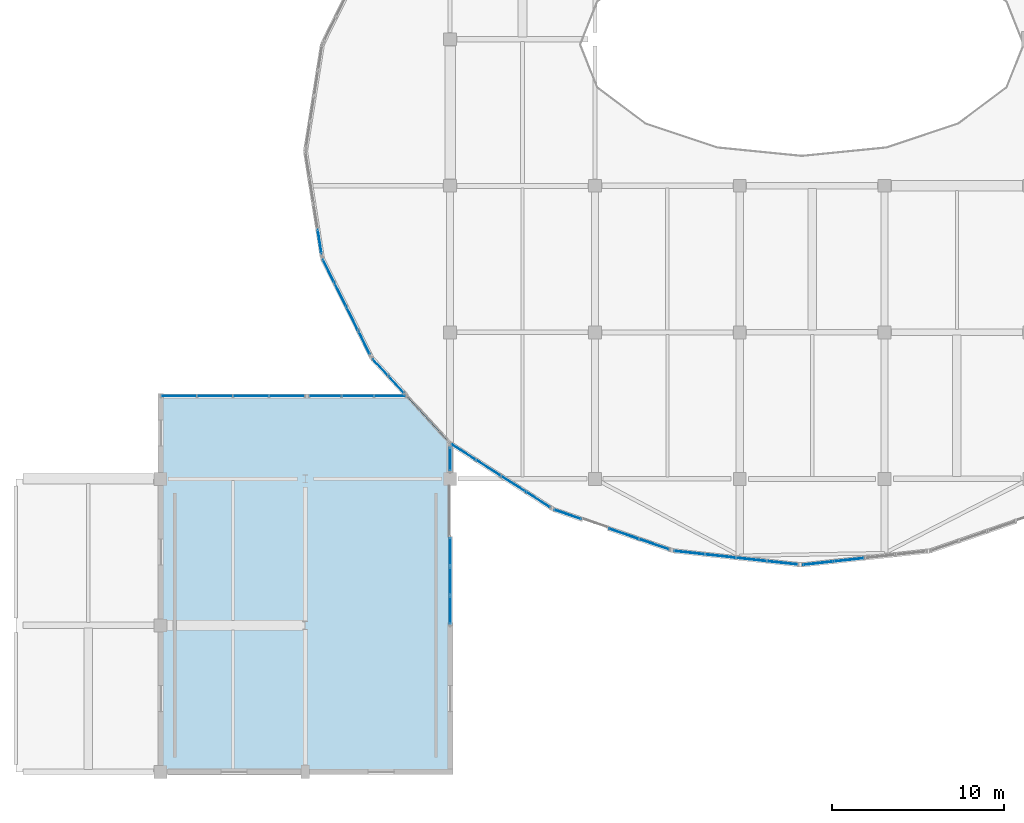
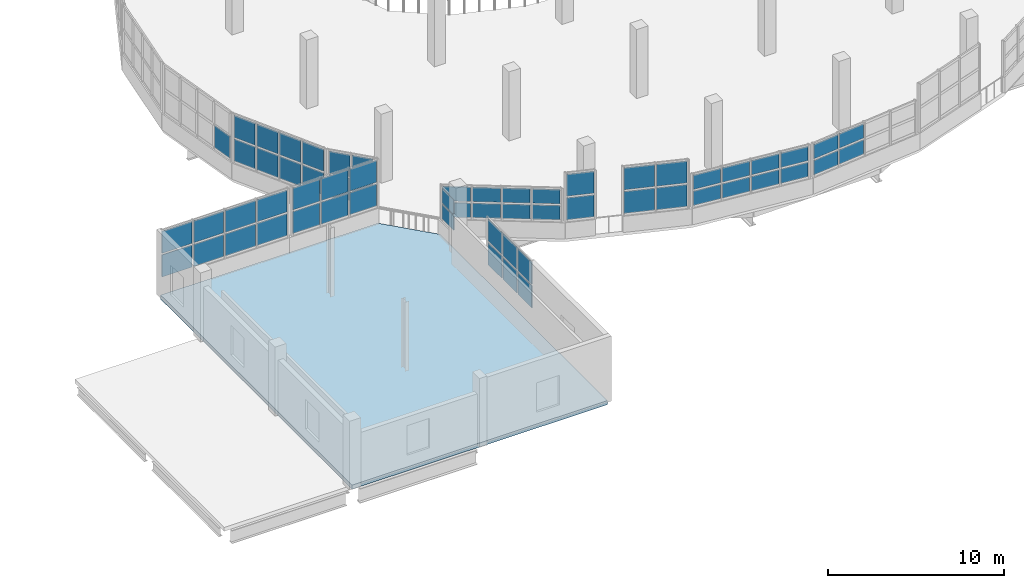
# One storey, part 84 of 117: 61 plates, 1 slab, 12 elements without a shape of their own.
"""IFC4 building model written with IfcOpenShell, lengths in metres."""

from ifc_helpers import new_model, si_unit, direction, frame, origin, origin_2d, place, context, subcontext, project, spatial, polyline, rectangle, outline, extrude, material, layer, layer_set, type_object, element, aggregate, save


model = new_model("IFC4")

# Units and contexts
model_context = context("Model", 3, precision=1e-05, world=origin(), true_north=direction((0.0, 1.0)))
body_context = subcontext(model_context, "Body", "Model", "MODEL_VIEW")
ifc_project = project(units=[si_unit("LENGTHUNIT", "METRE"), si_unit("AREAUNIT", "SQUARE_METRE"), si_unit("VOLUMEUNIT", "CUBIC_METRE"), si_unit("PLANEANGLEUNIT", "RADIAN"), si_unit("MASSUNIT", "GRAM", prefix="KILO")], contexts=[model_context])

# Site, building, storey
site_placement = place(None, origin())
site = spatial("IfcSite", under=ifc_project, at=site_placement, CompositionType="ELEMENT")
building_placement = place(site_placement, origin())
building = spatial("IfcBuilding", under=site, at=building_placement, Name="Solvento Point Concert Hall", CompositionType="ELEMENT")
storey_placement = place(building_placement, frame((0.0, 0.0, 5.39990234375)))
storey = spatial("IfcBuildingStorey", under=building, at=storey_placement, Name="L01", CompositionType="ELEMENT", Elevation=5.39990234375)

# Curtain wall, plates
ifc_material_1 = material(Name="Anodized Bronze Aluminium", Category="aluminium")
curtain_wall_type = type_object("IfcCurtainWallType", Name="CurtainWall_RingRibbon_L01_02", PredefinedType="USERDEFINED", material=ifc_material_1)
curtain_wall_1_placement = place(storey_placement, origin())
curtain_wall_1 = element("IfcCurtainWall", 1, at=curtain_wall_1_placement, inside=storey, type_object=curtain_wall_type, Name="Unitised curtain wall CW-59 UCW-L01-093", ObjectType="UNITISED CURTAIN WALL", PredefinedType="USERDEFINED")
ifc_material_2 = material(Name="Hurricane Laminated Low-E Glass", Category="glass")
plate_type = type_object("IfcPlateType", Name="CurtainPanel_RingLower", PredefinedType="CURTAIN_PANEL", material=ifc_material_2)
plate_1_placement = place(storey_placement, frame((25.072509765625, 21.800048828125, 1.240234375), z_axis=(0.0, 0.0, 1.0), x_axis=(1.0, 0.0, 0.0)))
plate_1 = element("IfcPlate", 2, at=plate_1_placement, type_object=plate_type, Name="Glazed curtain panel GL-02", PredefinedType="CURTAIN_PANEL", context=body_context, shape_type="SweptSolid", body=[
    extrude(rectangle(XDim=1.965087890625, YDim=0.0439453125, at=origin_2d()), origin(), (0.0, 0.0, 1.0), 1.52490234375),
])
plate_2_placement = place(storey_placement, frame((25.072509765625, 21.800048828125, 2.88525390625), z_axis=(0.0, 0.0, 1.0), x_axis=(1.0, 0.0, 0.0)))
plate_2 = element("IfcPlate", 3, at=plate_2_placement, type_object=plate_type, Name="Glazed curtain panel GL-02", PredefinedType="CURTAIN_PANEL", context=body_context, shape_type="SweptSolid", body=[
    extrude(rectangle(XDim=1.965087890625, YDim=0.0439453125, at=origin_2d()), origin(), (0.0, 0.0, 1.0), 1.52490234375),
])
plate_3_placement = place(storey_placement, frame((27.157470703125, 21.800048828125, 1.240234375), z_axis=(0.0, 0.0, 1.0), x_axis=(1.0, 0.0, 0.0)))
plate_3 = element("IfcPlate", 4, at=plate_3_placement, type_object=plate_type, Name="Glazed curtain panel GL-02", PredefinedType="CURTAIN_PANEL", context=body_context, shape_type="SweptSolid", body=[
    extrude(rectangle(XDim=1.965087890625, YDim=0.0439453125, at=origin_2d()), origin(), (0.0, 0.0, 1.0), 1.52490234375),
])
plate_4_placement = place(storey_placement, frame((27.157470703125, 21.800048828125, 2.88525390625), z_axis=(0.0, 0.0, 1.0), x_axis=(1.0, 0.0, 0.0)))
plate_4 = element("IfcPlate", 5, at=plate_4_placement, type_object=plate_type, Name="Glazed curtain panel GL-02", PredefinedType="CURTAIN_PANEL", context=body_context, shape_type="SweptSolid", body=[
    extrude(rectangle(XDim=1.965087890625, YDim=0.0439453125, at=origin_2d()), origin(), (0.0, 0.0, 1.0), 1.52490234375),
])
plate_5_placement = place(storey_placement, frame((29.242431640625, 21.800048828125, 1.240234375), z_axis=(0.0, 0.0, 1.0), x_axis=(1.0, 0.0, 0.0)))
plate_5 = element("IfcPlate", 6, at=plate_5_placement, type_object=plate_type, Name="Glazed curtain panel GL-02", PredefinedType="CURTAIN_PANEL", context=body_context, shape_type="SweptSolid", body=[
    extrude(rectangle(XDim=1.965087890625, YDim=0.0439453125, at=origin_2d()), origin(), (0.0, 0.0, 1.0), 1.52490234375),
])
plate_6_placement = place(storey_placement, frame((29.242431640625, 21.800048828125, 2.88525390625), z_axis=(0.0, 0.0, 1.0), x_axis=(1.0, 0.0, 0.0)))
plate_6 = element("IfcPlate", 7, at=plate_6_placement, type_object=plate_type, Name="Glazed curtain panel GL-02", PredefinedType="CURTAIN_PANEL", context=body_context, shape_type="SweptSolid", body=[
    extrude(rectangle(XDim=1.965087890625, YDim=0.0439453125, at=origin_2d()), origin(), (0.0, 0.0, 1.0), 1.52490234375),
])
plate_7_placement = place(storey_placement, frame((31.327392578125, 21.800048828125, 1.240234375), z_axis=(0.0, 0.0, 1.0), x_axis=(1.0, 0.0, 0.0)))
plate_7 = element("IfcPlate", 8, at=plate_7_placement, type_object=plate_type, Name="Glazed curtain panel GL-02", PredefinedType="CURTAIN_PANEL", context=body_context, shape_type="SweptSolid", body=[
    extrude(rectangle(XDim=1.965087890625, YDim=0.0439453125, at=origin_2d()), origin(), (0.0, 0.0, 1.0), 1.52490234375),
])
plate_8_placement = place(storey_placement, frame((31.327392578125, 21.800048828125, 2.88525390625), z_axis=(0.0, 0.0, 1.0), x_axis=(1.0, 0.0, 0.0)))
plate_8 = element("IfcPlate", 9, at=plate_8_placement, type_object=plate_type, Name="Glazed curtain panel GL-02", PredefinedType="CURTAIN_PANEL", context=body_context, shape_type="SweptSolid", body=[
    extrude(rectangle(XDim=1.965087890625, YDim=0.0439453125, at=origin_2d()), origin(), (0.0, 0.0, 1.0), 1.52490234375),
])
aggregate(curtain_wall_1, [plate_1, plate_2, plate_3, plate_4, plate_5, plate_6, plate_7, plate_8])

curtain_wall_2_placement = place(storey_placement, origin())
curtain_wall_2 = element("IfcCurtainWall", 10, at=curtain_wall_2_placement, inside=storey, type_object=curtain_wall_type, Name="Unitised curtain wall CW-59 UCW-L01-094", ObjectType="UNITISED CURTAIN WALL", PredefinedType="USERDEFINED")
plate_9_placement = place(storey_placement, frame((33.55908203125, 21.800048828125, 1.240234375), z_axis=(0.0, 0.0, 1.0), x_axis=(1.0, 0.0, 0.0)))
plate_9 = element("IfcPlate", 11, at=plate_9_placement, type_object=plate_type, Name="Glazed curtain panel GL-02", PredefinedType="CURTAIN_PANEL", context=body_context, shape_type="SweptSolid", body=[
    extrude(rectangle(XDim=1.758056640625, YDim=0.0439453125, at=origin_2d()), origin(), (0.0, 0.0, 1.0), 1.52490234375),
])
plate_10_placement = place(storey_placement, frame((33.55908203125, 21.800048828125, 2.88525390625), z_axis=(0.0, 0.0, 1.0), x_axis=(1.0, 0.0, 0.0)))
plate_10 = element("IfcPlate", 12, at=plate_10_placement, type_object=plate_type, Name="Glazed curtain panel GL-02", PredefinedType="CURTAIN_PANEL", context=body_context, shape_type="SweptSolid", body=[
    extrude(rectangle(XDim=1.758056640625, YDim=0.0439453125, at=origin_2d()), origin(), (0.0, 0.0, 1.0), 1.52490234375),
])
plate_11_placement = place(storey_placement, frame((35.43701171875, 21.800048828125, 1.240234375), z_axis=(0.0, 0.0, 1.0), x_axis=(1.0, 0.0, 0.0)))
plate_11 = element("IfcPlate", 13, at=plate_11_placement, type_object=plate_type, Name="Glazed curtain panel GL-02", PredefinedType="CURTAIN_PANEL", context=body_context, shape_type="SweptSolid", body=[
    extrude(rectangle(XDim=1.758056640625, YDim=0.0439453125, at=origin_2d()), origin(), (0.0, 0.0, 1.0), 1.52490234375),
])
plate_12_placement = place(storey_placement, frame((35.43701171875, 21.800048828125, 2.88525390625), z_axis=(0.0, 0.0, 1.0), x_axis=(1.0, 0.0, 0.0)))
plate_12 = element("IfcPlate", 14, at=plate_12_placement, type_object=plate_type, Name="Glazed curtain panel GL-02", PredefinedType="CURTAIN_PANEL", context=body_context, shape_type="SweptSolid", body=[
    extrude(rectangle(XDim=1.758056640625, YDim=0.0439453125, at=origin_2d()), origin(), (0.0, 0.0, 1.0), 1.52490234375),
])
plate_13_placement = place(storey_placement, frame((37.315185546875, 21.800048828125, 1.240234375), z_axis=(0.0, 0.0, 1.0), x_axis=(1.0, 0.0, 0.0)))
plate_13 = element("IfcPlate", 15, at=plate_13_placement, type_object=plate_type, Name="Glazed curtain panel GL-02", PredefinedType="CURTAIN_PANEL", context=body_context, shape_type="SweptSolid", body=[
    extrude(rectangle(XDim=1.758056640625, YDim=0.0439453125, at=origin_2d()), origin(), (0.0, 0.0, 1.0), 1.52490234375),
])
plate_14_placement = place(storey_placement, frame((37.315185546875, 21.800048828125, 2.88525390625), z_axis=(0.0, 0.0, 1.0), x_axis=(1.0, 0.0, 0.0)))
plate_14 = element("IfcPlate", 16, at=plate_14_placement, type_object=plate_type, Name="Glazed curtain panel GL-02", PredefinedType="CURTAIN_PANEL", context=body_context, shape_type="SweptSolid", body=[
    extrude(rectangle(XDim=1.758056640625, YDim=0.0439453125, at=origin_2d()), origin(), (0.0, 0.0, 1.0), 1.52490234375),
])
aggregate(curtain_wall_2, [plate_9, plate_10, plate_11, plate_12, plate_13, plate_14])

curtain_wall_3_placement = place(storey_placement, origin())
curtain_wall_3 = element("IfcCurtainWall", 17, at=curtain_wall_3_placement, inside=storey, type_object=curtain_wall_type, Name="Unitised curtain wall CW-59 UCW-L01-095", ObjectType="UNITISED CURTAIN WALL", PredefinedType="USERDEFINED")
plate_15_placement = place(storey_placement, frame((37.671142578125, 22.4658203125, 1.240234375), z_axis=(0.0, 0.0, 1.0), x_axis=(-0.677364018855, 0.735648004117, 0.0)))
plate_15 = element("IfcPlate", 18, at=plate_15_placement, type_object=plate_type, Name="Glazed curtain panel GL-02", PredefinedType="CURTAIN_PANEL", context=body_context, shape_type="SweptSolid", body=[
    extrude(rectangle(XDim=1.250244140625, YDim=0.0439453125, at=origin_2d()), origin(), (0.0, 0.0, 1.0), 1.52490234375),
])
plate_16_placement = place(storey_placement, frame((37.671142578125, 22.4658203125, 2.88525390625), z_axis=(0.0, 0.0, 1.0), x_axis=(-0.677364018855, 0.735648004117, 0.0)))
plate_16 = element("IfcPlate", 19, at=plate_16_placement, type_object=plate_type, Name="Glazed curtain panel GL-02", PredefinedType="CURTAIN_PANEL", context=body_context, shape_type="SweptSolid", body=[
    extrude(rectangle(XDim=1.250244140625, YDim=0.0439453125, at=origin_2d()), origin(), (0.0, 0.0, 1.0), 1.52490234375),
])
plate_17_placement = place(storey_placement, frame((36.742919921875, 23.473876953125, 1.240234375), z_axis=(0.0, 0.0, 1.0), x_axis=(-0.677364018855, 0.735648004117, 0.0)))
plate_17 = element("IfcPlate", 20, at=plate_17_placement, type_object=plate_type, Name="Glazed curtain panel GL-02", PredefinedType="CURTAIN_PANEL", context=body_context, shape_type="SweptSolid", body=[
    extrude(rectangle(XDim=1.250244140625, YDim=0.0439453125, at=origin_2d()), origin(), (0.0, 0.0, 1.0), 1.52490234375),
])
plate_18_placement = place(storey_placement, frame((36.742919921875, 23.473876953125, 2.88525390625), z_axis=(0.0, 0.0, 1.0), x_axis=(-0.677364018855, 0.735648004117, 0.0)))
plate_18 = element("IfcPlate", 21, at=plate_18_placement, type_object=plate_type, Name="Glazed curtain panel GL-02", PredefinedType="CURTAIN_PANEL", context=body_context, shape_type="SweptSolid", body=[
    extrude(rectangle(XDim=1.250244140625, YDim=0.0439453125, at=origin_2d()), origin(), (0.0, 0.0, 1.0), 1.52490234375),
])
aggregate(curtain_wall_3, [plate_15, plate_16, plate_17, plate_18])

curtain_wall_4_placement = place(storey_placement, origin())
curtain_wall_4 = element("IfcCurtainWall", 22, at=curtain_wall_4_placement, inside=storey, type_object=curtain_wall_type, Name="Unitised curtain wall CW-59 UCW-L01-096", ObjectType="UNITISED CURTAIN WALL", PredefinedType="USERDEFINED")
plate_19_placement = place(storey_placement, frame((35.814697265625, 24.892578125, 1.240234375), z_axis=(0.0, 0.0, 1.0), x_axis=(-0.445115052099, 0.895473388993, 0.0)))
plate_19 = element("IfcPlate", 23, at=plate_19_placement, type_object=plate_type, Name="Glazed curtain panel GL-02", PredefinedType="CURTAIN_PANEL", context=body_context, shape_type="SweptSolid", body=[
    extrude(rectangle(XDim=1.43359375, YDim=0.0439453125, at=origin_2d()), origin(), (0.0, 0.0, 1.0), 1.52490234375),
])
plate_20_placement = place(storey_placement, frame((35.814697265625, 24.892578125, 2.88525390625), z_axis=(0.0, 0.0, 1.0), x_axis=(-0.445115052099, 0.895473388993, 0.0)))
plate_20 = element("IfcPlate", 24, at=plate_20_placement, type_object=plate_type, Name="Glazed curtain panel GL-02", PredefinedType="CURTAIN_PANEL", context=body_context, shape_type="SweptSolid", body=[
    extrude(rectangle(XDim=1.43359375, YDim=0.0439453125, at=origin_2d()), origin(), (0.0, 0.0, 1.0), 1.52490234375),
])
plate_21_placement = place(storey_placement, frame((35.123291015625, 26.28369140625, 1.240234375), z_axis=(0.0, 0.0, 1.0), x_axis=(-0.445115052099, 0.895473388993, 0.0)))
plate_21 = element("IfcPlate", 25, at=plate_21_placement, type_object=plate_type, Name="Glazed curtain panel GL-02", PredefinedType="CURTAIN_PANEL", context=body_context, shape_type="SweptSolid", body=[
    extrude(rectangle(XDim=1.43359375, YDim=0.0439453125, at=origin_2d()), origin(), (0.0, 0.0, 1.0), 1.52490234375),
])
plate_22_placement = place(storey_placement, frame((35.123291015625, 26.28369140625, 2.88525390625), z_axis=(0.0, 0.0, 1.0), x_axis=(-0.445115052099, 0.895473388993, 0.0)))
plate_22 = element("IfcPlate", 26, at=plate_22_placement, type_object=plate_type, Name="Glazed curtain panel GL-02", PredefinedType="CURTAIN_PANEL", context=body_context, shape_type="SweptSolid", body=[
    extrude(rectangle(XDim=1.43359375, YDim=0.0439453125, at=origin_2d()), origin(), (0.0, 0.0, 1.0), 1.52490234375),
])
plate_23_placement = place(storey_placement, frame((34.431884765625, 27.6748046875, 1.240234375), z_axis=(0.0, 0.0, 1.0), x_axis=(-0.445115052099, 0.895473388993, 0.0)))
plate_23 = element("IfcPlate", 27, at=plate_23_placement, type_object=plate_type, Name="Glazed curtain panel GL-02", PredefinedType="CURTAIN_PANEL", context=body_context, shape_type="SweptSolid", body=[
    extrude(rectangle(XDim=1.43359375, YDim=0.0439453125, at=origin_2d()), origin(), (0.0, 0.0, 1.0), 1.52490234375),
])
plate_24_placement = place(storey_placement, frame((34.431884765625, 27.6748046875, 2.88525390625), z_axis=(0.0, 0.0, 1.0), x_axis=(-0.445115052099, 0.895473388993, 0.0)))
plate_24 = element("IfcPlate", 28, at=plate_24_placement, type_object=plate_type, Name="Glazed curtain panel GL-02", PredefinedType="CURTAIN_PANEL", context=body_context, shape_type="SweptSolid", body=[
    extrude(rectangle(XDim=1.43359375, YDim=0.0439453125, at=origin_2d()), origin(), (0.0, 0.0, 1.0), 1.52490234375),
])
plate_25_placement = place(storey_placement, frame((33.740478515625, 29.06591796875, 1.240234375), z_axis=(0.0, 0.0, 1.0), x_axis=(-0.445115052099, 0.895473388993, 0.0)))
plate_25 = element("IfcPlate", 29, at=plate_25_placement, type_object=plate_type, Name="Glazed curtain panel GL-02", PredefinedType="CURTAIN_PANEL", context=body_context, shape_type="SweptSolid", body=[
    extrude(rectangle(XDim=1.43359375, YDim=0.0439453125, at=origin_2d()), origin(), (0.0, 0.0, 1.0), 1.52490234375),
])
plate_26_placement = place(storey_placement, frame((33.740478515625, 29.06591796875, 2.88525390625), z_axis=(0.0, 0.0, 1.0), x_axis=(-0.445115052099, 0.895473388993, 0.0)))
plate_26 = element("IfcPlate", 30, at=plate_26_placement, type_object=plate_type, Name="Glazed curtain panel GL-02", PredefinedType="CURTAIN_PANEL", context=body_context, shape_type="SweptSolid", body=[
    extrude(rectangle(XDim=1.43359375, YDim=0.0439453125, at=origin_2d()), origin(), (0.0, 0.0, 1.0), 1.52490234375),
])
aggregate(curtain_wall_4, [plate_19, plate_20, plate_21, plate_22, plate_23, plate_24, plate_25, plate_26])

# Curtain wall, plate
curtain_wall_5_placement = place(storey_placement, origin())
curtain_wall_5 = element("IfcCurtainWall", 31, at=curtain_wall_5_placement, inside=storey, type_object=curtain_wall_type, Name="Unitised curtain wall CW-59 UCW-L01-097", ObjectType="UNITISED CURTAIN WALL", PredefinedType="USERDEFINED")
plate_27_placement = place(storey_placement, frame((33.229248046875, 30.751220703125, 1.240234375), z_axis=(0.0, 0.0, 1.0), x_axis=(-0.156041416836, 0.987750513152, 0.0)))
plate_27 = element("IfcPlate", 32, at=plate_27_placement, type_object=plate_type, Name="Glazed curtain panel GL-02", PredefinedType="CURTAIN_PANEL", context=body_context, shape_type="SweptSolid", body=[
    extrude(rectangle(XDim=1.3896484375, YDim=0.0439453125, at=origin_2d()), origin(), (0.0, 0.0, 1.0), 1.52490234375),
])
aggregate(curtain_wall_5, [plate_27])

# Curtain wall, plates
curtain_wall_6_placement = place(storey_placement, origin())
curtain_wall_6 = element("IfcCurtainWall", 33, at=curtain_wall_6_placement, inside=storey, type_object=curtain_wall_type, Name="Unitised curtain wall CW-59 UCW-L01-112", ObjectType="UNITISED CURTAIN WALL", PredefinedType="USERDEFINED")
plate_28_placement = place(storey_placement, frame((63.931884765625, 12.2998046875, 1.239990234375), z_axis=(0.0, 0.0, 1.0), x_axis=(-0.994035418963, -0.109057717961, 0.0)))
plate_28 = element("IfcPlate", 34, at=plate_28_placement, type_object=plate_type, Name="Glazed curtain panel GL-02", PredefinedType="CURTAIN_PANEL", context=body_context, shape_type="SweptSolid", body=[
    extrude(rectangle(XDim=1.692138671875, YDim=0.0439453125, at=origin_2d()), origin(), (0.0, 0.0, 1.0), 0.99609375),
])
plate_29_placement = place(storey_placement, frame((63.931884765625, 12.2998046875, 2.35595703125), z_axis=(0.0, 0.0, 1.0), x_axis=(-0.994035418963, -0.109057717961, 0.0)))
plate_29 = element("IfcPlate", 35, at=plate_29_placement, type_object=plate_type, Name="Glazed curtain panel GL-02", PredefinedType="CURTAIN_PANEL", context=body_context, shape_type="SweptSolid", body=[
    extrude(rectangle(XDim=1.692138671875, YDim=0.0439453125, at=origin_2d()), origin(), (0.0, 0.0, 1.0), 0.99609375),
])
plate_30_placement = place(storey_placement, frame((62.130615234375, 12.10205078125, 1.239990234375), z_axis=(0.0, 0.0, 1.0), x_axis=(-0.994035418963, -0.109057717961, 0.0)))
plate_30 = element("IfcPlate", 36, at=plate_30_placement, type_object=plate_type, Name="Glazed curtain panel GL-02", PredefinedType="CURTAIN_PANEL", context=body_context, shape_type="SweptSolid", body=[
    extrude(rectangle(XDim=1.692138671875, YDim=0.0439453125, at=origin_2d()), origin(), (0.0, 0.0, 1.0), 0.99609375),
])
plate_31_placement = place(storey_placement, frame((62.130615234375, 12.10205078125, 2.35595703125), z_axis=(0.0, 0.0, 1.0), x_axis=(-0.994035418963, -0.109057717961, 0.0)))
plate_31 = element("IfcPlate", 37, at=plate_31_placement, type_object=plate_type, Name="Glazed curtain panel GL-02", PredefinedType="CURTAIN_PANEL", context=body_context, shape_type="SweptSolid", body=[
    extrude(rectangle(XDim=1.692138671875, YDim=0.0439453125, at=origin_2d()), origin(), (0.0, 0.0, 1.0), 0.99609375),
])
aggregate(curtain_wall_6, [plate_28, plate_29, plate_30, plate_31])

curtain_wall_7_placement = place(storey_placement, origin())
curtain_wall_7 = element("IfcCurtainWall", 38, at=curtain_wall_7_placement, inside=storey, type_object=curtain_wall_type, Name="Unitised curtain wall CW-59 UCW-L01-113", ObjectType="UNITISED CURTAIN WALL", PredefinedType="USERDEFINED")
plate_32_placement = place(storey_placement, frame((60.08056640625, 12.122802734375, 1.239990234375), z_axis=(0.0, 0.0, 1.0), x_axis=(-0.994035418963, 0.109057717961, 0.0)))
plate_32 = element("IfcPlate", 39, at=plate_32_placement, type_object=plate_type, Name="Glazed curtain panel GL-02", PredefinedType="CURTAIN_PANEL", context=body_context, shape_type="SweptSolid", body=[
    extrude(rectangle(XDim=1.692138671875, YDim=0.0439453125, at=origin_2d()), origin(), (0.0, 0.0, 1.0), 0.99609375),
])
plate_33_placement = place(storey_placement, frame((60.08056640625, 12.122802734375, 2.35595703125), z_axis=(0.0, 0.0, 1.0), x_axis=(-0.994035418963, 0.109057717961, 0.0)))
plate_33 = element("IfcPlate", 40, at=plate_33_placement, type_object=plate_type, Name="Glazed curtain panel GL-02", PredefinedType="CURTAIN_PANEL", context=body_context, shape_type="SweptSolid", body=[
    extrude(rectangle(XDim=1.692138671875, YDim=0.0439453125, at=origin_2d()), origin(), (0.0, 0.0, 1.0), 0.99609375),
])
plate_34_placement = place(storey_placement, frame((58.279296875, 12.3203125, 1.239990234375), z_axis=(0.0, 0.0, 1.0), x_axis=(-0.994035418963, 0.109057717961, 0.0)))
plate_34 = element("IfcPlate", 41, at=plate_34_placement, type_object=plate_type, Name="Glazed curtain panel GL-02", PredefinedType="CURTAIN_PANEL", context=body_context, shape_type="SweptSolid", body=[
    extrude(rectangle(XDim=1.692138671875, YDim=0.0439453125, at=origin_2d()), origin(), (0.0, 0.0, 1.0), 0.99609375),
])
plate_35_placement = place(storey_placement, frame((58.279296875, 12.3203125, 2.35595703125), z_axis=(0.0, 0.0, 1.0), x_axis=(-0.994035418963, 0.109057717961, 0.0)))
plate_35 = element("IfcPlate", 42, at=plate_35_placement, type_object=plate_type, Name="Glazed curtain panel GL-02", PredefinedType="CURTAIN_PANEL", context=body_context, shape_type="SweptSolid", body=[
    extrude(rectangle(XDim=1.692138671875, YDim=0.0439453125, at=origin_2d()), origin(), (0.0, 0.0, 1.0), 0.99609375),
])
plate_36_placement = place(storey_placement, frame((56.477783203125, 12.51806640625, 1.239990234375), z_axis=(0.0, 0.0, 1.0), x_axis=(-0.994035418963, 0.109057717961, 0.0)))
plate_36 = element("IfcPlate", 43, at=plate_36_placement, type_object=plate_type, Name="Glazed curtain panel GL-02", PredefinedType="CURTAIN_PANEL", context=body_context, shape_type="SweptSolid", body=[
    extrude(rectangle(XDim=1.692138671875, YDim=0.0439453125, at=origin_2d()), origin(), (0.0, 0.0, 1.0), 0.99609375),
])
plate_37_placement = place(storey_placement, frame((56.477783203125, 12.51806640625, 2.35595703125), z_axis=(0.0, 0.0, 1.0), x_axis=(-0.994035418963, 0.109057717961, 0.0)))
plate_37 = element("IfcPlate", 44, at=plate_37_placement, type_object=plate_type, Name="Glazed curtain panel GL-02", PredefinedType="CURTAIN_PANEL", context=body_context, shape_type="SweptSolid", body=[
    extrude(rectangle(XDim=1.692138671875, YDim=0.0439453125, at=origin_2d()), origin(), (0.0, 0.0, 1.0), 0.99609375),
])
plate_38_placement = place(storey_placement, frame((54.676513671875, 12.7158203125, 1.239990234375), z_axis=(0.0, 0.0, 1.0), x_axis=(-0.994035418963, 0.109057717961, 0.0)))
plate_38 = element("IfcPlate", 45, at=plate_38_placement, type_object=plate_type, Name="Glazed curtain panel GL-02", PredefinedType="CURTAIN_PANEL", context=body_context, shape_type="SweptSolid", body=[
    extrude(rectangle(XDim=1.692138671875, YDim=0.0439453125, at=origin_2d()), origin(), (0.0, 0.0, 1.0), 0.99609375),
])
plate_39_placement = place(storey_placement, frame((54.676513671875, 12.7158203125, 2.35595703125), z_axis=(0.0, 0.0, 1.0), x_axis=(-0.994035418963, 0.109057717961, 0.0)))
plate_39 = element("IfcPlate", 46, at=plate_39_placement, type_object=plate_type, Name="Glazed curtain panel GL-02", PredefinedType="CURTAIN_PANEL", context=body_context, shape_type="SweptSolid", body=[
    extrude(rectangle(XDim=1.692138671875, YDim=0.0439453125, at=origin_2d()), origin(), (0.0, 0.0, 1.0), 0.99609375),
])
aggregate(curtain_wall_7, [plate_32, plate_33, plate_34, plate_35, plate_36, plate_37, plate_38, plate_39])

curtain_wall_8_placement = place(storey_placement, origin())
curtain_wall_8 = element("IfcCurtainWall", 47, at=curtain_wall_8_placement, inside=storey, type_object=curtain_wall_type, Name="Unitised curtain wall CW-59 UCW-L01-114", ObjectType="UNITISED CURTAIN WALL", PredefinedType="USERDEFINED")
plate_40_placement = place(storey_placement, frame((52.64697265625, 13.197265625, 1.240234375), z_axis=(0.0, 0.0, 1.0), x_axis=(-0.94527226479, 0.326282615871, 0.0)))
plate_40 = element("IfcPlate", 48, at=plate_40_placement, type_object=plate_type, Name="Glazed curtain panel GL-02", PredefinedType="CURTAIN_PANEL", context=body_context, shape_type="SweptSolid", body=[
    extrude(rectangle(XDim=1.765380859375, YDim=0.0439453125, at=origin_2d()), origin(), (0.0, 0.0, 1.0), 1.52490234375),
])
plate_41_placement = place(storey_placement, frame((52.64697265625, 13.197265625, 2.88525390625), z_axis=(0.0, 0.0, 1.0), x_axis=(-0.94527226479, 0.326282615871, 0.0)))
plate_41 = element("IfcPlate", 49, at=plate_41_placement, type_object=plate_type, Name="Glazed curtain panel GL-02", PredefinedType="CURTAIN_PANEL", context=body_context, shape_type="SweptSolid", body=[
    extrude(rectangle(XDim=1.765380859375, YDim=0.0439453125, at=origin_2d()), origin(), (0.0, 0.0, 1.0), 1.52490234375),
])
plate_42_placement = place(storey_placement, frame((50.864501953125, 13.8125, 1.240234375), z_axis=(0.0, 0.0, 1.0), x_axis=(-0.94527226479, 0.326282615871, 0.0)))
plate_42 = element("IfcPlate", 50, at=plate_42_placement, type_object=plate_type, Name="Glazed curtain panel GL-02", PredefinedType="CURTAIN_PANEL", context=body_context, shape_type="SweptSolid", body=[
    extrude(rectangle(XDim=1.765380859375, YDim=0.0439453125, at=origin_2d()), origin(), (0.0, 0.0, 1.0), 1.52490234375),
])
plate_43_placement = place(storey_placement, frame((50.864501953125, 13.8125, 2.88525390625), z_axis=(0.0, 0.0, 1.0), x_axis=(-0.94527226479, 0.326282615871, 0.0)))
plate_43 = element("IfcPlate", 51, at=plate_43_placement, type_object=plate_type, Name="Glazed curtain panel GL-02", PredefinedType="CURTAIN_PANEL", context=body_context, shape_type="SweptSolid", body=[
    extrude(rectangle(XDim=1.765380859375, YDim=0.0439453125, at=origin_2d()), origin(), (0.0, 0.0, 1.0), 1.52490234375),
])
aggregate(curtain_wall_8, [plate_40, plate_41, plate_42, plate_43])

curtain_wall_9_placement = place(storey_placement, origin())
curtain_wall_9 = element("IfcCurtainWall", 52, at=curtain_wall_9_placement, inside=storey, type_object=curtain_wall_type, Name="Unitised curtain wall CW-59 UCW-L01-115", ObjectType="UNITISED CURTAIN WALL", PredefinedType="USERDEFINED")
plate_44_placement = place(storey_placement, frame((47.62744140625, 14.9296875, 1.240234375), z_axis=(0.0, 0.0, 1.0), x_axis=(-0.945265430935, 0.326302413536, 0.0)))
plate_44 = element("IfcPlate", 53, at=plate_44_placement, type_object=plate_type, Name="Glazed curtain panel GL-02", PredefinedType="CURTAIN_PANEL", context=body_context, shape_type="SweptSolid", body=[
    extrude(rectangle(XDim=1.57080078125, YDim=0.0439453125, at=origin_2d()), origin(), (0.0, 0.0, 1.0), 1.52490234375),
])
plate_45_placement = place(storey_placement, frame((47.62744140625, 14.9296875, 2.88525390625), z_axis=(0.0, 0.0, 1.0), x_axis=(-0.945265430935, 0.326302413536, 0.0)))
plate_45 = element("IfcPlate", 54, at=plate_45_placement, type_object=plate_type, Name="Glazed curtain panel GL-02", PredefinedType="CURTAIN_PANEL", context=body_context, shape_type="SweptSolid", body=[
    extrude(rectangle(XDim=1.57080078125, YDim=0.0439453125, at=origin_2d()), origin(), (0.0, 0.0, 1.0), 1.52490234375),
])
aggregate(curtain_wall_9, [plate_44, plate_45])

curtain_wall_10_placement = place(storey_placement, origin())
curtain_wall_10 = element("IfcCurtainWall", 55, at=curtain_wall_10_placement, inside=storey, type_object=curtain_wall_type, Name="Unitised curtain wall CW-59 UCW-L01-116", ObjectType="UNITISED CURTAIN WALL", PredefinedType="USERDEFINED")
plate_46_placement = place(storey_placement, frame((45.8955078125, 15.793701171875, 1.239990234375), z_axis=(0.0, 0.0, 1.0), x_axis=(-0.842490008251, 0.538711969421, 0.0)))
plate_46 = element("IfcPlate", 56, at=plate_46_placement, type_object=plate_type, Name="Glazed curtain panel GL-02", PredefinedType="CURTAIN_PANEL", context=body_context, shape_type="SweptSolid", body=[
    extrude(rectangle(XDim=1.58740234375, YDim=0.0439453125, at=origin_2d()), origin(), (0.0, 0.0, 1.0), 0.99609375),
])
plate_47_placement = place(storey_placement, frame((45.8955078125, 15.793701171875, 2.35595703125), z_axis=(0.0, 0.0, 1.0), x_axis=(-0.842490008251, 0.538711969421, 0.0)))
plate_47 = element("IfcPlate", 57, at=plate_47_placement, type_object=plate_type, Name="Glazed curtain panel GL-02", PredefinedType="CURTAIN_PANEL", context=body_context, shape_type="SweptSolid", body=[
    extrude(rectangle(XDim=1.58740234375, YDim=0.0439453125, at=origin_2d()), origin(), (0.0, 0.0, 1.0), 0.99609375),
])
plate_48_placement = place(storey_placement, frame((44.456787109375, 16.713623046875, 1.239990234375), z_axis=(0.0, 0.0, 1.0), x_axis=(-0.842490008251, 0.538711969421, 0.0)))
plate_48 = element("IfcPlate", 58, at=plate_48_placement, type_object=plate_type, Name="Glazed curtain panel GL-02", PredefinedType="CURTAIN_PANEL", context=body_context, shape_type="SweptSolid", body=[
    extrude(rectangle(XDim=1.58740234375, YDim=0.0439453125, at=origin_2d()), origin(), (0.0, 0.0, 1.0), 0.99609375),
])
plate_49_placement = place(storey_placement, frame((44.456787109375, 16.713623046875, 2.35595703125), z_axis=(0.0, 0.0, 1.0), x_axis=(-0.842490008251, 0.538711969421, 0.0)))
plate_49 = element("IfcPlate", 59, at=plate_49_placement, type_object=plate_type, Name="Glazed curtain panel GL-02", PredefinedType="CURTAIN_PANEL", context=body_context, shape_type="SweptSolid", body=[
    extrude(rectangle(XDim=1.58740234375, YDim=0.0439453125, at=origin_2d()), origin(), (0.0, 0.0, 1.0), 0.99609375),
])
plate_50_placement = place(storey_placement, frame((43.018310546875, 17.633544921875, 1.239990234375), z_axis=(0.0, 0.0, 1.0), x_axis=(-0.842490008251, 0.538711969421, 0.0)))
plate_50 = element("IfcPlate", 60, at=plate_50_placement, type_object=plate_type, Name="Glazed curtain panel GL-02", PredefinedType="CURTAIN_PANEL", context=body_context, shape_type="SweptSolid", body=[
    extrude(rectangle(XDim=1.58740234375, YDim=0.0439453125, at=origin_2d()), origin(), (0.0, 0.0, 1.0), 0.99609375),
])
plate_51_placement = place(storey_placement, frame((43.018310546875, 17.633544921875, 2.35595703125), z_axis=(0.0, 0.0, 1.0), x_axis=(-0.842490008251, 0.538711969421, 0.0)))
plate_51 = element("IfcPlate", 61, at=plate_51_placement, type_object=plate_type, Name="Glazed curtain panel GL-02", PredefinedType="CURTAIN_PANEL", context=body_context, shape_type="SweptSolid", body=[
    extrude(rectangle(XDim=1.58740234375, YDim=0.0439453125, at=origin_2d()), origin(), (0.0, 0.0, 1.0), 0.99609375),
])
plate_52_placement = place(storey_placement, frame((41.579833984375, 18.55322265625, 1.239990234375), z_axis=(0.0, 0.0, 1.0), x_axis=(-0.842490008251, 0.538711969421, 0.0)))
plate_52 = element("IfcPlate", 62, at=plate_52_placement, type_object=plate_type, Name="Glazed curtain panel GL-02", PredefinedType="CURTAIN_PANEL", context=body_context, shape_type="SweptSolid", body=[
    extrude(rectangle(XDim=1.58740234375, YDim=0.0439453125, at=origin_2d()), origin(), (0.0, 0.0, 1.0), 0.99609375),
])
plate_53_placement = place(storey_placement, frame((41.579833984375, 18.55322265625, 2.35595703125), z_axis=(0.0, 0.0, 1.0), x_axis=(-0.842490008251, 0.538711969421, 0.0)))
plate_53 = element("IfcPlate", 63, at=plate_53_placement, type_object=plate_type, Name="Glazed curtain panel GL-02", PredefinedType="CURTAIN_PANEL", context=body_context, shape_type="SweptSolid", body=[
    extrude(rectangle(XDim=1.58740234375, YDim=0.0439453125, at=origin_2d()), origin(), (0.0, 0.0, 1.0), 0.99609375),
])
aggregate(curtain_wall_10, [plate_46, plate_47, plate_48, plate_49, plate_50, plate_51, plate_52, plate_53])

curtain_wall_11_placement = place(storey_placement, origin())
curtain_wall_11 = element("IfcCurtainWall", 64, at=curtain_wall_11_placement, inside=storey, type_object=curtain_wall_type, Name="Unitised curtain wall CW-59 UCW-L01-117", ObjectType="UNITISED CURTAIN WALL", PredefinedType="USERDEFINED")
plate_54_placement = place(storey_placement, frame((40.800048828125, 9.379150390625, 1.240234375), z_axis=(0.0, 0.0, 1.0), x_axis=(0.0, 1.0, 0.0)))
plate_54 = element("IfcPlate", 65, at=plate_54_placement, type_object=plate_type, Name="Glazed curtain panel GL-02", PredefinedType="CURTAIN_PANEL", context=body_context, shape_type="SweptSolid", body=[
    extrude(rectangle(XDim=1.578369140625, YDim=0.0439453125, at=origin_2d()), origin(), (0.0, 0.0, 1.0), 1.52490234375),
])
plate_55_placement = place(storey_placement, frame((40.800048828125, 9.379150390625, 2.88525390625), z_axis=(0.0, 0.0, 1.0), x_axis=(0.0, 1.0, 0.0)))
plate_55 = element("IfcPlate", 66, at=plate_55_placement, type_object=plate_type, Name="Glazed curtain panel GL-02", PredefinedType="CURTAIN_PANEL", context=body_context, shape_type="SweptSolid", body=[
    extrude(rectangle(XDim=1.578369140625, YDim=0.0439453125, at=origin_2d()), origin(), (0.0, 0.0, 1.0), 1.52490234375),
])
plate_56_placement = place(storey_placement, frame((40.800048828125, 11.077392578125, 1.240234375), z_axis=(0.0, 0.0, 1.0), x_axis=(0.0, 1.0, 0.0)))
plate_56 = element("IfcPlate", 67, at=plate_56_placement, type_object=plate_type, Name="Glazed curtain panel GL-02", PredefinedType="CURTAIN_PANEL", context=body_context, shape_type="SweptSolid", body=[
    extrude(rectangle(XDim=1.578369140625, YDim=0.0439453125, at=origin_2d()), origin(), (0.0, 0.0, 1.0), 1.52490234375),
])
plate_57_placement = place(storey_placement, frame((40.800048828125, 11.077392578125, 2.88525390625), z_axis=(0.0, 0.0, 1.0), x_axis=(0.0, 1.0, 0.0)))
plate_57 = element("IfcPlate", 68, at=plate_57_placement, type_object=plate_type, Name="Glazed curtain panel GL-02", PredefinedType="CURTAIN_PANEL", context=body_context, shape_type="SweptSolid", body=[
    extrude(rectangle(XDim=1.578369140625, YDim=0.0439453125, at=origin_2d()), origin(), (0.0, 0.0, 1.0), 1.52490234375),
])
plate_58_placement = place(storey_placement, frame((40.800048828125, 12.77587890625, 1.240234375), z_axis=(0.0, 0.0, 1.0), x_axis=(0.0, 1.0, 0.0)))
plate_58 = element("IfcPlate", 69, at=plate_58_placement, type_object=plate_type, Name="Glazed curtain panel GL-02", PredefinedType="CURTAIN_PANEL", context=body_context, shape_type="SweptSolid", body=[
    extrude(rectangle(XDim=1.578369140625, YDim=0.0439453125, at=origin_2d()), origin(), (0.0, 0.0, 1.0), 1.52490234375),
])
plate_59_placement = place(storey_placement, frame((40.800048828125, 12.77587890625, 2.88525390625), z_axis=(0.0, 0.0, 1.0), x_axis=(0.0, 1.0, 0.0)))
plate_59 = element("IfcPlate", 70, at=plate_59_placement, type_object=plate_type, Name="Glazed curtain panel GL-02", PredefinedType="CURTAIN_PANEL", context=body_context, shape_type="SweptSolid", body=[
    extrude(rectangle(XDim=1.578369140625, YDim=0.0439453125, at=origin_2d()), origin(), (0.0, 0.0, 1.0), 1.52490234375),
])
aggregate(curtain_wall_11, [plate_54, plate_55, plate_56, plate_57, plate_58, plate_59])

curtain_wall_12_placement = place(storey_placement, origin())
curtain_wall_12 = element("IfcCurtainWall", 71, at=curtain_wall_12_placement, inside=storey, type_object=curtain_wall_type, Name="Unitised curtain wall CW-59 UCW-L01-118", ObjectType="UNITISED CURTAIN WALL", PredefinedType="USERDEFINED")
plate_60_placement = place(storey_placement, frame((40.800048828125, 18.136474609375, 1.239990234375), z_axis=(0.0, 0.0, 1.0), x_axis=(0.0, 1.0, 0.0)))
plate_60 = element("IfcPlate", 72, at=plate_60_placement, type_object=plate_type, Name="Glazed curtain panel GL-02", PredefinedType="CURTAIN_PANEL", context=body_context, shape_type="SweptSolid", body=[
    extrude(rectangle(XDim=1.302734375, YDim=0.0439453125, at=origin_2d()), origin(), (0.0, 0.0, 1.0), 0.99609375),
])
plate_61_placement = place(storey_placement, frame((40.800048828125, 18.136474609375, 2.35595703125), z_axis=(0.0, 0.0, 1.0), x_axis=(0.0, 1.0, 0.0)))
plate_61 = element("IfcPlate", 73, at=plate_61_placement, type_object=plate_type, Name="Glazed curtain panel GL-02", PredefinedType="CURTAIN_PANEL", context=body_context, shape_type="SweptSolid", body=[
    extrude(rectangle(XDim=1.302734375, YDim=0.0439453125, at=origin_2d()), origin(), (0.0, 0.0, 1.0), 0.99609375),
])
aggregate(curtain_wall_12, [plate_60, plate_61])

# Slab
ifc_material_3 = material(Name="Concrete C35/45", Category="concrete")
ifc_layer = layer(ifc_material_3, 0.280029296875)
ifc_layer_set = layer_set([ifc_layer], Name="Concrete C35/45")
slab_type = type_object("IfcSlabType", Name="FloorSlab_280", PredefinedType="FLOOR", material=ifc_layer_set)
slab_placement = place(storey_placement, frame((0.0, 0.0, -0.27978515625)))
element("IfcSlab", 74, at=slab_placement, inside=storey, type_object=slab_type, Name="Structural slab SL-L01 SLAB-L01-V2B", PredefinedType="FLOOR", context=body_context, shape_type="SweptSolid", body=[
    extrude(outline(polyline([(24.0, 21.800048828125), (38.2841796875, 21.800048828125), (40.800048828125, 19.067626953125), (40.800048828125, 0.0), (24.0, 0.0), (24.0, 21.800048828125)])), origin(), (0.0, 0.0, 1.0), 0.27978515625),
])

save(model, "model.ifc")
